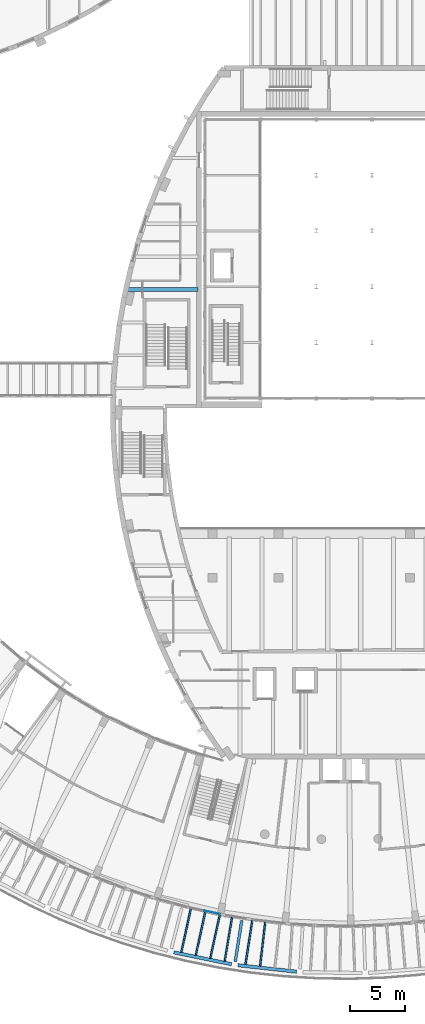
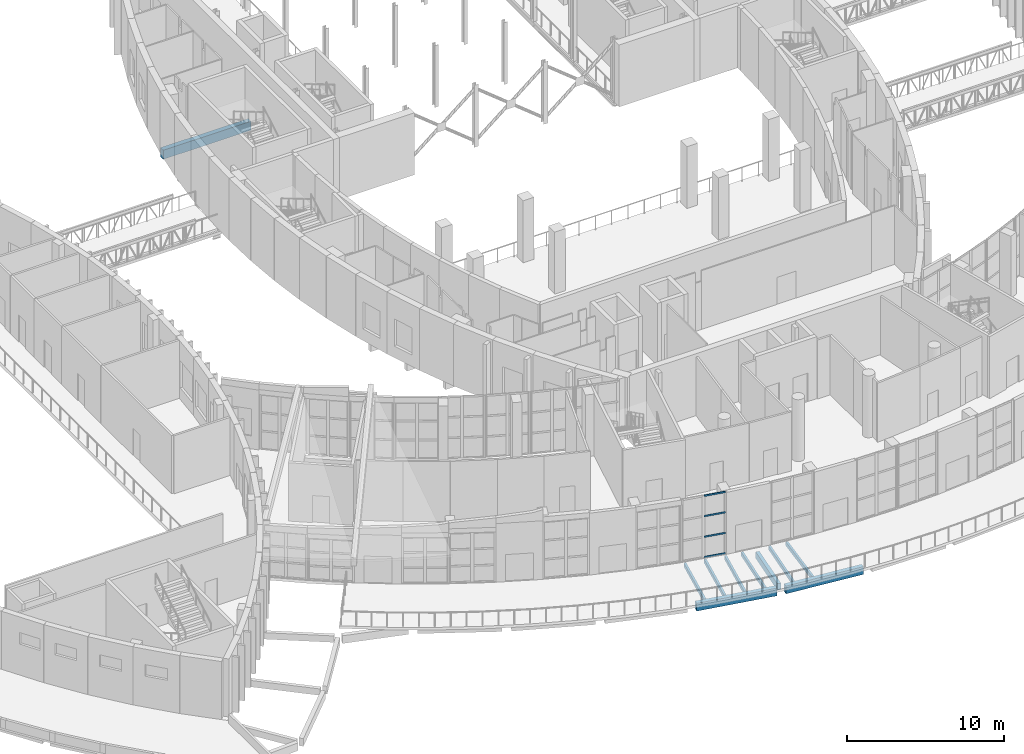
# One storey, part 17 of 93: 10 beams, 4 members, 1 element without a shape of its own.
"""IFC4 building model written with IfcOpenShell, lengths in metres."""

from ifc_helpers import new_model, si_unit, direction, frame, origin, origin_2d, place, context, subcontext, project, spatial, rectangle, extrude, material, material_profile, profile_set, type_object, element, aggregate, save


model = new_model("IFC4")

# Units and contexts
model_context = context("Model", 3, precision=1e-05, world=origin(), true_north=direction((0.0, 1.0)))
body_context = subcontext(model_context, "Body", "Model", "MODEL_VIEW")
ifc_project = project(units=[si_unit("LENGTHUNIT", "METRE"), si_unit("AREAUNIT", "SQUARE_METRE"), si_unit("VOLUMEUNIT", "CUBIC_METRE"), si_unit("PLANEANGLEUNIT", "RADIAN"), si_unit("MASSUNIT", "GRAM", prefix="KILO")], contexts=[model_context])

# Site, building, storey
site_placement = place(None, origin())
site = spatial("IfcSite", under=ifc_project, at=site_placement, CompositionType="ELEMENT")
building_placement = place(site_placement, origin())
building = spatial("IfcBuilding", under=site, at=building_placement, Name="Tide Square Theatres", CompositionType="ELEMENT")
storey_placement = place(building_placement, frame((0.0, 0.0, 5.39990234375)))
storey = spatial("IfcBuildingStorey", under=building, at=storey_placement, Name="L01", CompositionType="ELEMENT", Elevation=5.39990234375)

# Curtain wall, members
ifc_material_1 = material(Name="Aluminium 6063-T5", Category="aluminium")
curtain_wall_type = type_object("IfcCurtainWallType", Name="Unitised system curtain wall 4800 high", PredefinedType="USERDEFINED", material=ifc_material_1)
curtain_wall_placement = place(storey_placement, origin())
curtain_wall = element("IfcCurtainWall", 1, at=curtain_wall_placement, inside=storey, type_object=curtain_wall_type, Name="Foyer outer curtain wall", ObjectType="UNITISED SYSTEM", PredefinedType="USERDEFINED")
ifc_material_2 = material(Name="Aluminium 6063-T5", Category="aluminium")
ifc_material_profile_1 = material_profile(ifc_material_2, rectangle(XDim=0.050048828125, YDim=0.125, at=origin_2d()))
ifc_profile_set_1 = profile_set([ifc_material_profile_1], Name="Aluminium 6063-T5")
member_type = type_object("IfcMemberType", Name="Aluminium transom 50 x 125", PredefinedType="USERDEFINED", material=ifc_profile_set_1)
member_1_placement = place(storey_placement, frame((71.236328125, 9.5205078125, 0.025146484375), z_axis=(0.97692016015, -0.21360477685, 0.0), x_axis=(0.21360477685, 0.97692016015, 0.0)))
member_1 = element("IfcMember", 2, at=member_1_placement, type_object=member_type, Name="CW-02 transom 2.1", ObjectType="TRANSOM", PredefinedType="USERDEFINED", context=body_context, shape_type="SweptSolid", body=[
    extrude(rectangle(XDim=0.050048828125, YDim=0.125, at=origin_2d()), origin(), (0.0, 0.0, 1.0), 1.423095703125),
])
member_2_placement = place(storey_placement, frame((71.236328125, 9.5205078125, 1.60009765625), z_axis=(0.97692016015, -0.21360477685, 0.0), x_axis=(0.21360477685, 0.97692016015, 0.0)))
member_2 = element("IfcMember", 3, at=member_2_placement, type_object=member_type, Name="CW-02 transom 2.2", ObjectType="TRANSOM", PredefinedType="USERDEFINED", context=body_context, shape_type="SweptSolid", body=[
    extrude(rectangle(XDim=0.050048828125, YDim=0.125, at=origin_2d()), origin(), (0.0, 0.0, 1.0), 1.423095703125),
])
member_3_placement = place(storey_placement, frame((71.236328125, 9.5205078125, 3.2001953125), z_axis=(0.97692016015, -0.21360477685, 0.0), x_axis=(0.21360477685, 0.97692016015, 0.0)))
member_3 = element("IfcMember", 4, at=member_3_placement, type_object=member_type, Name="CW-02 transom 2.3", ObjectType="TRANSOM", PredefinedType="USERDEFINED", context=body_context, shape_type="SweptSolid", body=[
    extrude(rectangle(XDim=0.050048828125, YDim=0.125, at=origin_2d()), origin(), (0.0, 0.0, 1.0), 1.423095703125),
])
member_4_placement = place(storey_placement, frame((71.236328125, 9.5205078125, 4.775146484375), z_axis=(0.97692016015, -0.21360477685, 0.0), x_axis=(0.21360477685, 0.97692016015, 0.0)))
member_4 = element("IfcMember", 5, at=member_4_placement, type_object=member_type, Name="CW-02 transom 2.4", ObjectType="TRANSOM", PredefinedType="USERDEFINED", context=body_context, shape_type="SweptSolid", body=[
    extrude(rectangle(XDim=0.050048828125, YDim=0.125, at=origin_2d()), origin(), (0.0, 0.0, 1.0), 1.423095703125),
])
aggregate(curtain_wall, [member_1, member_2, member_3, member_4])

# Beams
ifc_material_3 = material(Name="Concrete C35", Category="concrete")
ifc_material_profile_2 = material_profile(ifc_material_3, rectangle(XDim=0.14990234375, YDim=0.300048828125, at=origin_2d()))
ifc_profile_set_2 = profile_set([ifc_material_profile_2], Name="Concrete C35")
beam_type_1 = type_object("IfcBeamType", Name="RC arcade roof rib 150 x 300", PredefinedType="JOIST", material=ifc_profile_set_2)
beam_1_placement = place(storey_placement, frame((69.140625, 5.736083984375, -0.349853515625), z_axis=(0.213664095126, 0.97690718825, 0.0), x_axis=(-0.97690718825, 0.213664095126, 0.0)))
element("IfcBeam", 6, at=beam_1_placement, inside=storey, type_object=beam_type_1, Name="Arcade roof rib", PredefinedType="JOIST", context=body_context, shape_type="SweptSolid", body=[
    extrude(rectangle(XDim=0.14990234375, YDim=0.300048828125, at=origin_2d()), origin(), (0.0, 0.0, 1.0), 4.2197265625),
])
beam_2_placement = place(storey_placement, frame((70.462890625, 5.46435546875, -0.349853515625), z_axis=(0.213657032735, 0.976908732873, 0.0), x_axis=(-0.976908732873, 0.213657032735, 0.0)))
element("IfcBeam", 7, at=beam_2_placement, inside=storey, type_object=beam_type_1, Name="Arcade roof rib", PredefinedType="JOIST", context=body_context, shape_type="SweptSolid", body=[
    extrude(rectangle(XDim=0.14990234375, YDim=0.300048828125, at=origin_2d()), origin(), (0.0, 0.0, 1.0), 4.202880859375),
])
beam_3_placement = place(storey_placement, frame((71.785400390625, 5.192626953125, -0.349853515625), z_axis=(0.213662087358, 0.976907627376, 0.0), x_axis=(-0.976907627376, 0.213662087358, 0.0)))
element("IfcBeam", 8, at=beam_3_placement, inside=storey, type_object=beam_type_1, Name="Arcade roof rib", PredefinedType="JOIST", context=body_context, shape_type="SweptSolid", body=[
    extrude(rectangle(XDim=0.14990234375, YDim=0.300048828125, at=origin_2d()), origin(), (0.0, 0.0, 1.0), 4.185546875),
])
beam_4_placement = place(storey_placement, frame((73.100341796875, 4.92236328125, -0.349853515625), z_axis=(0.164548735414, 0.986368954131, 0.0), x_axis=(-0.986368954131, 0.164548735414, 0.0)))
element("IfcBeam", 9, at=beam_4_placement, inside=storey, type_object=beam_type_1, Name="Arcade roof rib", PredefinedType="JOIST", context=body_context, shape_type="SweptSolid", body=[
    extrude(rectangle(XDim=0.14990234375, YDim=0.300048828125, at=origin_2d()), origin(), (0.0, 0.0, 1.0), 4.22998046875),
])
beam_5_placement = place(storey_placement, frame((74.99560546875, 4.6240234375, -0.349853515625), z_axis=(0.153167558861, 0.988200232196, 0.0), x_axis=(-0.988200232196, 0.153167558861, 0.0)))
element("IfcBeam", 10, at=beam_5_placement, inside=storey, type_object=beam_type_1, Name="Arcade roof rib", PredefinedType="JOIST", context=body_context, shape_type="SweptSolid", body=[
    extrude(rectangle(XDim=0.14990234375, YDim=0.300048828125, at=origin_2d()), origin(), (0.0, 0.0, 1.0), 4.212890625),
])
beam_6_placement = place(storey_placement, frame((76.33154296875, 4.47705078125, -0.349853515625), z_axis=(0.114976932525, 0.993368161855, 0.0), x_axis=(-0.993368161855, 0.114976932525, 0.0)))
element("IfcBeam", 11, at=beam_6_placement, inside=storey, type_object=beam_type_1, Name="Arcade roof rib", PredefinedType="JOIST", context=body_context, shape_type="SweptSolid", body=[
    extrude(rectangle(XDim=0.14990234375, YDim=0.300048828125, at=origin_2d()), origin(), (0.0, 0.0, 1.0), 4.2021484375),
])
ifc_material_4 = material(Name="Concrete C35", Category="concrete")
ifc_material_profile_3 = material_profile(ifc_material_4, rectangle(XDim=0.25, YDim=0.5, at=origin_2d()))
ifc_profile_set_3 = profile_set([ifc_material_profile_3], Name="Concrete C35")
beam_type_2 = type_object("IfcBeamType", Name="RC beam 250 x 500", PredefinedType="BEAM", material=ifc_profile_set_3)
beam_7_placement = place(storey_placement, frame((74.063720703125, 4.877197265625, -0.449951171875), z_axis=(0.155474288059, 0.987839939339, 0.0), x_axis=(-0.987839939339, 0.155474288059, 0.0)))
element("IfcBeam", 12, at=beam_7_placement, inside=storey, type_object=beam_type_2, Name="Arcade slab beam", PredefinedType="BEAM", context=body_context, shape_type="SweptSolid", body=[
    extrude(rectangle(XDim=0.25, YDim=0.5, at=origin_2d()), origin(), (0.0, 0.0, 1.0), 3.800048828125),
])
ifc_material_5 = material(Name="Concrete C35", Category="concrete")
ifc_material_profile_4 = material_profile(ifc_material_5, rectangle(XDim=0.300048828125, YDim=0.60009765625, at=origin_2d()))
ifc_profile_set_4 = profile_set([ifc_material_profile_4], Name="Concrete C35")
beam_type_3 = type_object("IfcBeamType", Name="RC beam 300 x 600", PredefinedType="BEAM", material=ifc_profile_set_4)
beam_8_placement = place(storey_placement, frame((68.461181640625, 5.72265625, -0.5), z_axis=(0.979532218202, -0.201287440005, 0.0), x_axis=(0.201287440005, 0.979532218202, 0.0)))
element("IfcBeam", 13, at=beam_8_placement, inside=storey, type_object=beam_type_3, Name="Colonnade beam", PredefinedType="BEAM", context=body_context, shape_type="SweptSolid", body=[
    extrude(rectangle(XDim=0.300048828125, YDim=0.60009765625, at=origin_2d()), origin(), (0.0, 0.0, 1.0), 5.371826171875),
])
beam_9_placement = place(storey_placement, frame((74.315185546875, 4.548095703125, -0.5), z_axis=(0.993999564062, -0.109384032858, 0.0), x_axis=(0.109384032858, 0.993999564062, 0.0)))
element("IfcBeam", 14, at=beam_9_placement, inside=storey, type_object=beam_type_3, Name="Colonnade beam", PredefinedType="BEAM", context=body_context, shape_type="SweptSolid", body=[
    extrude(rectangle(XDim=0.300048828125, YDim=0.60009765625, at=origin_2d()), origin(), (0.0, 0.0, 1.0), 5.372314453125),
])
ifc_material_6 = material(Name="Concrete C35", Category="concrete")
ifc_material_profile_5 = material_profile(ifc_material_6, rectangle(XDim=0.35009765625, YDim=0.699951171875, at=origin_2d()))
ifc_profile_set_5 = profile_set([ifc_material_profile_5], Name="Concrete C35")
beam_type_4 = type_object("IfcBeamType", Name="RC beam 350 x 700", PredefinedType="BEAM", material=ifc_profile_set_5)
beam_10_placement = place(storey_placement, frame((64.2138671875, 66.199951171875, -0.599853515625), z_axis=(1.0, 0.0, 0.0), x_axis=(0.0, 1.0, 0.0)))
element("IfcBeam", 15, at=beam_10_placement, inside=storey, type_object=beam_type_4, Name="Floor beam", PredefinedType="BEAM", context=body_context, shape_type="SweptSolid", body=[
    extrude(rectangle(XDim=0.35009765625, YDim=0.699951171875, at=origin_2d()), origin(), (0.0, 0.0, 1.0), 6.43603515625),
])

save(model, "model.ifc")
